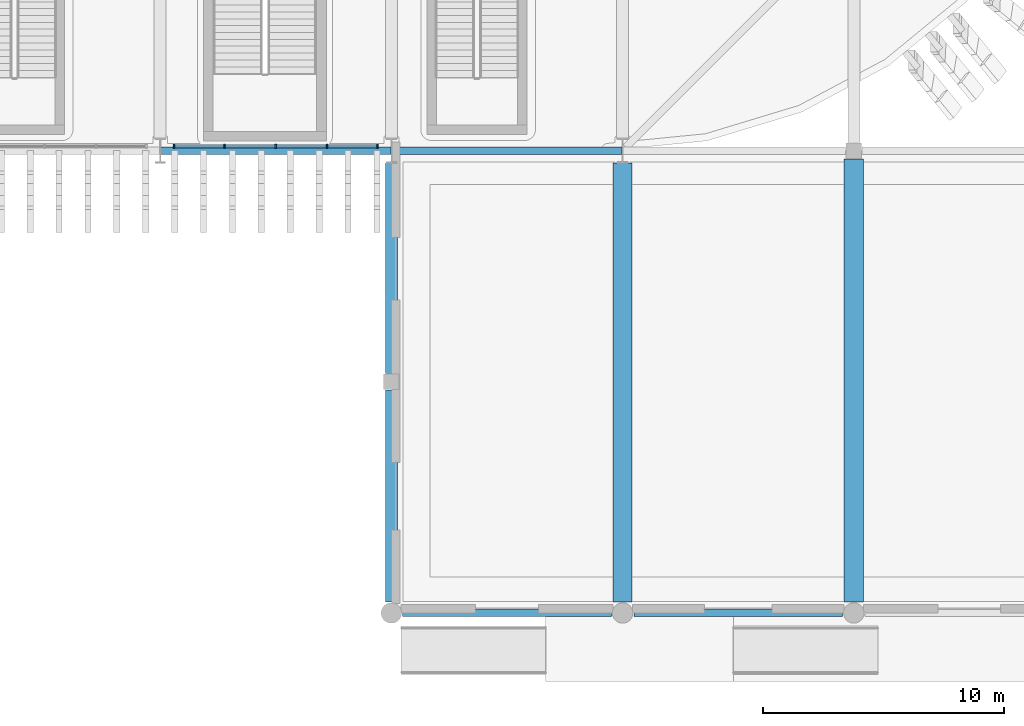
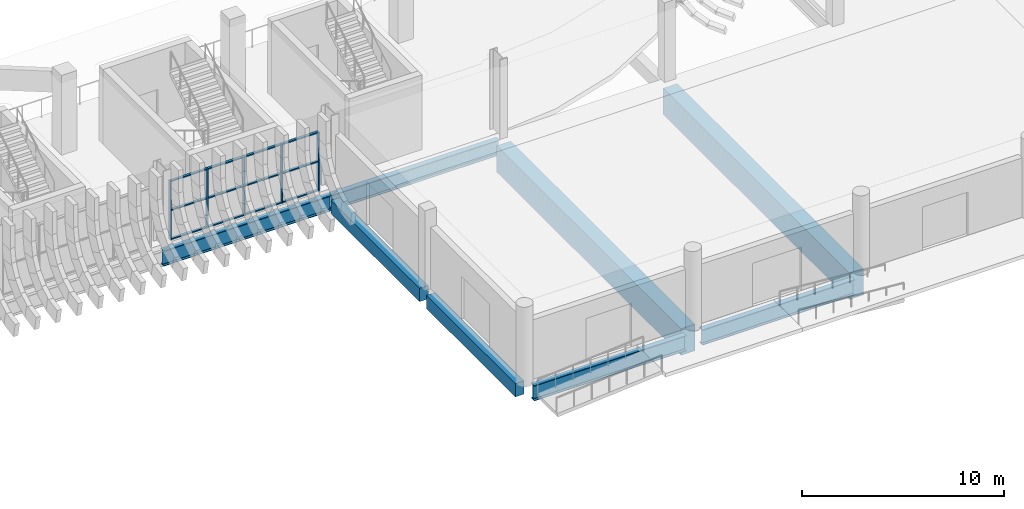
# One storey, part 31 of 100: 17 members, 8 beams, 1 element without a shape of its own.
"""IFC4 building model written with IfcOpenShell, lengths in metres."""

import ifcopenshell
import ifcopenshell.guid

model = None  # the IFC model being written
_history = None  # IfcOwnerHistory: only IFC2X3 demands one
_inside = {}  # id of a spatial element -> (the spatial element, [elements in it])
_under = {}  # id of a project, library or spatial element -> (it, [spatial elements below it])
_declared = {}  # id of a project -> (the project, [libraries it declares])
_typed = {}  # id of a type object -> (the type object, [elements of that type])
_made_of = {}  # id of a material, layer set ... -> (it, [elements and type objects made of it])


def new_model(schema):
    """Start an empty IFC model of exactly this schema.

    Asked for "IFC4X3", IfcOpenShell would pick the latest addendum, in which some entities
    have other attributes; the version numbers below select the first issue.
    IFC2X3 requires an IfcOwnerHistory on every rooted entity: one is made here for all.
    """
    global model, _history
    if schema == "IFC4X3":
        model = ifcopenshell.file(schema_version=(4, 3, 0, 0))
    else:
        model = ifcopenshell.file(schema=schema)
    _inside.clear()
    _under.clear()
    _declared.clear()
    _typed.clear()
    _made_of.clear()
    _history = None
    if model.schema == "IFC2X3":
        org = make("IfcOrganization", Name="unknown")
        user = make(
            "IfcPersonAndOrganization",
            ThePerson=make("IfcPerson", FamilyName="unknown"),
            TheOrganization=org,
        )
        app = make(
            "IfcApplication",
            ApplicationDeveloper=org,
            Version="unknown",
            ApplicationFullName="unknown",
            ApplicationIdentifier="unknown",
        )
        _history = make(
            "IfcOwnerHistory",
            OwningUser=user,
            OwningApplication=app,
            ChangeAction="ADDED",
            CreationDate=0,
        )
    return model


def make(cls, **values):
    """One entity of the class cls with the attributes given. An attribute that is None is left unset."""
    return model.create_entity(
        cls, **{name: value for name, value in values.items() if value is not None}
    )


def rooted(cls, **values):
    """An entity with a GlobalId (a new one), such as an element, a storey or a relation."""
    return make(cls, GlobalId=ifcopenshell.guid.new(), OwnerHistory=_history, **values)


def si_unit(unit_type, name, prefix=None):
    """IfcSIUnit, for example si_unit("LENGTHUNIT", "METRE", prefix="MILLI")."""
    return make("IfcSIUnit", UnitType=unit_type, Prefix=prefix, Name=name)


def assignment(units):
    """IfcUnitAssignment: the units of a project."""
    return None if units is None else make("IfcUnitAssignment", Units=units)


def point(xyz):
    """IfcCartesianPoint."""
    return None if xyz is None else make("IfcCartesianPoint", Coordinates=xyz)


def direction(xyz):
    """IfcDirection."""
    return None if xyz is None else make("IfcDirection", DirectionRatios=xyz)


def frame(location, z_axis=None, x_axis=None):
    """IfcAxis2Placement3D, a coordinate frame: its origin and axes. An axis left out is left unset."""
    return make(
        "IfcAxis2Placement3D",
        Location=point(location),
        Axis=direction(z_axis),
        RefDirection=direction(x_axis),
    )


def frame_2d(location, x_axis=None):
    """IfcAxis2Placement2D, a coordinate frame in the plane: its origin and x axis."""
    return make(
        "IfcAxis2Placement2D", Location=point(location), RefDirection=direction(x_axis)
    )


def origin():
    """The frame at (0, 0, 0) with its axes left unset."""
    return frame((0.0, 0.0, 0.0))


def origin_2d():
    """The frame at (0, 0) in the plane with its x axis left unset."""
    return frame_2d((0.0, 0.0))


def place(relative_to, where):
    """IfcLocalPlacement: puts the frame where relative to a parent placement (None: the world)."""
    return make(
        "IfcLocalPlacement", PlacementRelTo=relative_to, RelativePlacement=where
    )


def context(
    kind, dimensions, precision=None, world=None, true_north=None, identifier=None
):
    """IfcGeometricRepresentationContext, for example the 3D "Model" context."""
    return make(
        "IfcGeometricRepresentationContext",
        ContextIdentifier=identifier,
        ContextType=kind,
        CoordinateSpaceDimension=dimensions,
        Precision=precision,
        WorldCoordinateSystem=world,
        TrueNorth=true_north,
    )


def subcontext(parent, identifier, kind, view, scale=None):
    """IfcGeometricRepresentationSubContext, for example "Body" below "Model"."""
    return make(
        "IfcGeometricRepresentationSubContext",
        ContextIdentifier=identifier,
        ContextType=kind,
        ParentContext=parent,
        TargetScale=scale,
        TargetView=view,
    )


def project(units=None, contexts=None):
    """IfcProject with its units and contexts."""
    return rooted(
        "IfcProject",
        Name="project",
        RepresentationContexts=contexts,
        UnitsInContext=assignment(units),
    )


def spatial(cls, under=None, at=None, **own):
    """A site, building, storey or space (cls), placed at a placement, below another one or the project."""
    s = rooted(cls, ObjectPlacement=at, **own)
    if under is not None:
        _under.setdefault(under.id(), (under, []))[1].append(s)
    return s


def profile(cls, at=None, kind="AREA", **sizes):
    """A parametric profile (cls). Its sizes go by their IFC names, for example OverallWidth=200.0."""
    return make(cls, ProfileType=kind, Position=at, **sizes)


def rectangle(**sizes):
    """IfcRectangleProfileDef."""
    return profile("IfcRectangleProfileDef", **sizes)


def i_section(**sizes):
    """IfcIShapeProfileDef."""
    return profile("IfcIShapeProfileDef", **sizes)


def extrude(swept, where, along, depth):
    """IfcExtrudedAreaSolid: the profile swept, set in the frame where, extruded along a direction by depth."""
    return make(
        "IfcExtrudedAreaSolid",
        SweptArea=swept,
        Position=where,
        ExtrudedDirection=direction(along),
        Depth=depth,
    )


def shape(context_of_items, identifier, shape_type, items):
    """IfcShapeRepresentation: the items that make up one representation, for example the "Body"."""
    return make(
        "IfcShapeRepresentation",
        ContextOfItems=context_of_items,
        RepresentationIdentifier=identifier,
        RepresentationType=shape_type,
        Items=items,
    )


def material(Name=None, Category=None):
    """IfcMaterial."""
    return make("IfcMaterial", Name=Name, Category=Category)


def layer(
    of_material, thickness, ventilated=None, Name=None, Category=None, Priority=None
):
    """IfcMaterialLayer: one layer of a wall or slab, of a material (None: an air gap)."""
    return make(
        "IfcMaterialLayer",
        Material=of_material,
        LayerThickness=thickness,
        IsVentilated=ventilated,
        Name=Name,
        Category=Category,
        Priority=Priority,
    )


def layer_set(layers, Name=None):
    """IfcMaterialLayerSet."""
    return make("IfcMaterialLayerSet", MaterialLayers=layers, LayerSetName=Name)


def material_profile(
    of_material, cross_section, Name=None, Category=None, Priority=None
):
    """IfcMaterialProfile: a cross section and its material."""
    return make(
        "IfcMaterialProfile",
        Name=Name,
        Material=of_material,
        Profile=cross_section,
        Priority=Priority,
        Category=Category,
    )


def profile_set(profiles, Name=None, composite=None):
    """IfcMaterialProfileSet."""
    return make(
        "IfcMaterialProfileSet",
        Name=Name,
        MaterialProfiles=profiles,
        CompositeProfile=composite,
    )


def made_of(thing, what):
    """Note that an element or type object is made of a material, layer set ...; save() writes the relation."""
    if what is not None:
        _made_of.setdefault(what.id(), (what, []))[1].append(thing)
    return thing


def type_object(cls, material=None, **own):
    """A type object (cls), such as IfcWallType, which elements share."""
    return made_of(rooted(cls, **own), material)


def element(
    cls,
    number,
    at=None,
    inside=None,
    cuts=None,
    type_object=None,
    material=None,
    context=None,
    identifier="Body",
    shape_type=None,
    held_by="IfcProductDefinitionShape",
    body=None,
    shapes=None,
    **own,
):
    """One element of the class cls, such as IfcWall. Its Tag is "e" and its number.

    at: its placement. inside: the storey or other place that contains it. cuts: it is an
    opening in that element (IfcRelVoidsElement). A single representation is given by context,
    identifier, shape_type and body (its items); several are given by shapes. held_by: the class
    of the entity that holds the representations. save() writes the other relations.
    """
    e = rooted(cls, Tag="e%d" % number, ObjectPlacement=at, **own)
    if body is not None:
        shapes = [shape(context, identifier, shape_type, body)]
    if shapes is not None:
        e.Representation = make(held_by, Representations=shapes)
    if inside is not None:
        _inside.setdefault(inside.id(), (inside, []))[1].append(e)
    if cuts is not None:
        rooted(
            "IfcRelVoidsElement", RelatingBuildingElement=cuts, RelatedOpeningElement=e
        )
    if type_object is not None:
        _typed.setdefault(type_object.id(), (type_object, []))[1].append(e)
    return made_of(e, material)


def aggregate(whole, parts):
    """IfcRelAggregates: a whole, such as a stair, and the parts it consists of."""
    return rooted("IfcRelAggregates", RelatingObject=whole, RelatedObjects=parts)


def save(model, path):
    """Write the relations noted so far, then the file.

    IfcRelAggregates (storeys below a building ...), IfcRelContainedInSpatialStructure (elements
    in a storey), IfcRelDefinesByType, IfcRelAssociatesMaterial and IfcRelDeclares: one each for
    every whole, place, type object, material and project.
    """
    for whole, parts in _under.values():
        aggregate(whole, parts)
    for where, things in _inside.values():
        rooted(
            "IfcRelContainedInSpatialStructure",
            RelatedElements=things,
            RelatingStructure=where,
        )
    for kind, things in _typed.values():
        rooted("IfcRelDefinesByType", RelatedObjects=things, RelatingType=kind)
    for what, things in _made_of.values():
        rooted("IfcRelAssociatesMaterial", RelatedObjects=things, RelatingMaterial=what)
    for by, libraries in _declared.values():
        rooted("IfcRelDeclares", RelatingContext=by, RelatedDefinitions=libraries)
    model.write(path)


model = new_model("IFC4")

# Units and contexts
model_context = context("Model", 3, precision=1e-05, world=origin(), true_north=direction((0.0, 1.0)))
body_context = subcontext(model_context, "Body", "Model", "MODEL_VIEW")
ifc_project = project(units=[si_unit("LENGTHUNIT", "METRE"), si_unit("AREAUNIT", "SQUARE_METRE"), si_unit("VOLUMEUNIT", "CUBIC_METRE"), si_unit("PLANEANGLEUNIT", "RADIAN"), si_unit("MASSUNIT", "GRAM", prefix="KILO")], contexts=[model_context])

# Site, building, storey
site_placement = place(None, origin())
site = spatial("IfcSite", under=ifc_project, at=site_placement, CompositionType="ELEMENT")
building_placement = place(site_placement, origin())
building = spatial("IfcBuilding", under=site, at=building_placement, Name="Caelomonte Colonnade Arena", CompositionType="ELEMENT")
storey_placement = place(building_placement, origin())
storey = spatial("IfcBuildingStorey", under=building, at=storey_placement, Name="L00", CompositionType="ELEMENT", Elevation=0.0)

# Curtain wall, members
ifc_material_1 = material(Name="Bronze anodised aluminium and low-E glazing", Category="aluminium")
ifc_layer = layer(ifc_material_1, 0.179931640625)
ifc_layer_set = layer_set([ifc_layer], Name="Bronze anodised aluminium and low-E glazing")
curtain_wall_type = type_object("IfcCurtainWallType", Name="ENV-CW-CW-L00-96-36", PredefinedType="USERDEFINED", material=ifc_layer_set)
curtain_wall_placement = place(storey_placement, origin())
curtain_wall = element("IfcCurtainWall", 1, at=curtain_wall_placement, inside=storey, type_object=curtain_wall_type, Name="L00 unitized curtain wall CW-L00-1296-0194", ObjectType="UNITIZED CURTAIN WALL", PredefinedType="USERDEFINED")
ifc_material_2 = material(Name="Bronze anodised aluminium AA6063-T6", Category="aluminium")
ifc_material_profile_1 = material_profile(ifc_material_2, rectangle(XDim=0.070068359375, YDim=0.179931640625, at=origin_2d()), Name="CWM-70X180")
ifc_profile_set_1 = profile_set([ifc_material_profile_1], Name="Bronze anodised aluminium AA6063-T6")
member_type_1 = type_object("IfcMemberType", Name="ENV-CW-MULL1", PredefinedType="MULLION", material=ifc_profile_set_1)
member_1_placement = place(storey_placement, frame((125.375732421875, 19.3798828125, 0.0), z_axis=(0.0, 0.0, 1.0), x_axis=(1.0, 0.0, 0.0)))
member_1 = element("IfcMember", 2, at=member_1_placement, type_object=member_type_1, Name="CW-L00-96-36 mullion 1", PredefinedType="MULLION", context=body_context, shape_type="SweptSolid", body=[
    extrude(rectangle(XDim=0.070068359375, YDim=0.179931640625, at=origin_2d()), origin(), (0.0, 0.0, 1.0), 3.572998046875),
])
member_2_placement = place(storey_placement, frame((127.470458984375, 19.3798828125, 0.0), z_axis=(0.0, 0.0, 1.0), x_axis=(1.0, 0.0, 0.0)))
member_2 = element("IfcMember", 3, at=member_2_placement, type_object=member_type_1, Name="CW-L00-96-36 mullion 2", PredefinedType="MULLION", context=body_context, shape_type="SweptSolid", body=[
    extrude(rectangle(XDim=0.070068359375, YDim=0.179931640625, at=origin_2d()), origin(), (0.0, 0.0, 1.0), 3.572998046875),
])
member_3_placement = place(storey_placement, frame((129.60009765625, 19.3798828125, 0.0), z_axis=(0.0, 0.0, 1.0), x_axis=(1.0, 0.0, 0.0)))
member_3 = element("IfcMember", 4, at=member_3_placement, type_object=member_type_1, Name="CW-L00-96-36 mullion 3", PredefinedType="MULLION", context=body_context, shape_type="SweptSolid", body=[
    extrude(rectangle(XDim=0.070068359375, YDim=0.179931640625, at=origin_2d()), origin(), (0.0, 0.0, 1.0), 3.572998046875),
])
member_4_placement = place(storey_placement, frame((131.729736328125, 19.3798828125, 0.0), z_axis=(0.0, 0.0, 1.0), x_axis=(1.0, 0.0, 0.0)))
member_4 = element("IfcMember", 5, at=member_4_placement, type_object=member_type_1, Name="CW-L00-96-36 mullion 4", PredefinedType="MULLION", context=body_context, shape_type="SweptSolid", body=[
    extrude(rectangle(XDim=0.070068359375, YDim=0.179931640625, at=origin_2d()), origin(), (0.0, 0.0, 1.0), 3.572998046875),
])
member_5_placement = place(storey_placement, frame((133.82421875, 19.3798828125, 0.0), z_axis=(0.0, 0.0, 1.0), x_axis=(1.0, 0.0, 0.0)))
member_5 = element("IfcMember", 6, at=member_5_placement, type_object=member_type_1, Name="CW-L00-96-36 mullion 5", PredefinedType="MULLION", context=body_context, shape_type="SweptSolid", body=[
    extrude(rectangle(XDim=0.070068359375, YDim=0.179931640625, at=origin_2d()), origin(), (0.0, 0.0, 1.0), 3.572998046875),
])
ifc_material_profile_2 = material_profile(ifc_material_2, rectangle(XDim=0.070068359375, YDim=0.139892578125, at=origin_2d()), Name="CWT-70X140")
ifc_profile_set_2 = profile_set([ifc_material_profile_2], Name="Bronze anodised aluminium AA6063-T6")
member_type_2 = type_object("IfcMemberType", Name="ENV-CW-TRAN1", PredefinedType="USERDEFINED", material=ifc_profile_set_2)
member_6_placement = place(storey_placement, frame((125.41064453125, 19.3798828125, 0.034912109375), z_axis=(1.0, 0.0, 0.0), x_axis=(0.0, 0.0, 1.0)))
member_6 = element("IfcMember", 7, at=member_6_placement, type_object=member_type_2, Name="CW-L00-96-36 transom 1.1", ObjectType="TRANSOM", PredefinedType="USERDEFINED", context=body_context, shape_type="SweptSolid", body=[
    extrude(rectangle(XDim=0.070068359375, YDim=0.139892578125, at=origin_2d()), origin(), (0.0, 0.0, 1.0), 2.024658203125),
])
member_7_placement = place(storey_placement, frame((125.41064453125, 19.3798828125, 1.78662109375), z_axis=(1.0, 0.0, 0.0), x_axis=(0.0, 0.0, 1.0)))
member_7 = element("IfcMember", 8, at=member_7_placement, type_object=member_type_2, Name="CW-L00-96-36 transom 1.2", ObjectType="TRANSOM", PredefinedType="USERDEFINED", context=body_context, shape_type="SweptSolid", body=[
    extrude(rectangle(XDim=0.070068359375, YDim=0.139892578125, at=origin_2d()), origin(), (0.0, 0.0, 1.0), 2.024658203125),
])
member_8_placement = place(storey_placement, frame((125.41064453125, 19.3798828125, 3.5380859375), z_axis=(1.0, 0.0, 0.0), x_axis=(0.0, 0.0, 1.0)))
member_8 = element("IfcMember", 9, at=member_8_placement, type_object=member_type_2, Name="CW-L00-96-36 transom 1.3", ObjectType="TRANSOM", PredefinedType="USERDEFINED", context=body_context, shape_type="SweptSolid", body=[
    extrude(rectangle(XDim=0.070068359375, YDim=0.139892578125, at=origin_2d()), origin(), (0.0, 0.0, 1.0), 2.024658203125),
])
member_9_placement = place(storey_placement, frame((127.50537109375, 19.3798828125, 0.034912109375), z_axis=(1.0, 0.0, 0.0), x_axis=(0.0, 0.0, 1.0)))
member_9 = element("IfcMember", 10, at=member_9_placement, type_object=member_type_2, Name="CW-L00-96-36 transom 2.1", ObjectType="TRANSOM", PredefinedType="USERDEFINED", context=body_context, shape_type="SweptSolid", body=[
    extrude(rectangle(XDim=0.070068359375, YDim=0.139892578125, at=origin_2d()), origin(), (0.0, 0.0, 1.0), 2.0595703125),
])
member_10_placement = place(storey_placement, frame((127.50537109375, 19.3798828125, 1.78662109375), z_axis=(1.0, 0.0, 0.0), x_axis=(0.0, 0.0, 1.0)))
member_10 = element("IfcMember", 11, at=member_10_placement, type_object=member_type_2, Name="CW-L00-96-36 transom 2.2", ObjectType="TRANSOM", PredefinedType="USERDEFINED", context=body_context, shape_type="SweptSolid", body=[
    extrude(rectangle(XDim=0.070068359375, YDim=0.139892578125, at=origin_2d()), origin(), (0.0, 0.0, 1.0), 2.0595703125),
])
member_11_placement = place(storey_placement, frame((127.50537109375, 19.3798828125, 3.5380859375), z_axis=(1.0, 0.0, 0.0), x_axis=(0.0, 0.0, 1.0)))
member_11 = element("IfcMember", 12, at=member_11_placement, type_object=member_type_2, Name="CW-L00-96-36 transom 2.3", ObjectType="TRANSOM", PredefinedType="USERDEFINED", context=body_context, shape_type="SweptSolid", body=[
    extrude(rectangle(XDim=0.070068359375, YDim=0.139892578125, at=origin_2d()), origin(), (0.0, 0.0, 1.0), 2.0595703125),
])
member_12_placement = place(storey_placement, frame((129.635009765625, 19.3798828125, 0.034912109375), z_axis=(1.0, 0.0, 0.0), x_axis=(0.0, 0.0, 1.0)))
member_12 = element("IfcMember", 13, at=member_12_placement, type_object=member_type_2, Name="CW-L00-96-36 transom 3.1", ObjectType="TRANSOM", PredefinedType="USERDEFINED", context=body_context, shape_type="SweptSolid", body=[
    extrude(rectangle(XDim=0.070068359375, YDim=0.139892578125, at=origin_2d()), origin(), (0.0, 0.0, 1.0), 2.0595703125),
])
member_13_placement = place(storey_placement, frame((129.635009765625, 19.3798828125, 1.78662109375), z_axis=(1.0, 0.0, 0.0), x_axis=(0.0, 0.0, 1.0)))
member_13 = element("IfcMember", 14, at=member_13_placement, type_object=member_type_2, Name="CW-L00-96-36 transom 3.2", ObjectType="TRANSOM", PredefinedType="USERDEFINED", context=body_context, shape_type="SweptSolid", body=[
    extrude(rectangle(XDim=0.070068359375, YDim=0.139892578125, at=origin_2d()), origin(), (0.0, 0.0, 1.0), 2.0595703125),
])
member_14_placement = place(storey_placement, frame((129.635009765625, 19.3798828125, 3.5380859375), z_axis=(1.0, 0.0, 0.0), x_axis=(0.0, 0.0, 1.0)))
member_14 = element("IfcMember", 15, at=member_14_placement, type_object=member_type_2, Name="CW-L00-96-36 transom 3.3", ObjectType="TRANSOM", PredefinedType="USERDEFINED", context=body_context, shape_type="SweptSolid", body=[
    extrude(rectangle(XDim=0.070068359375, YDim=0.139892578125, at=origin_2d()), origin(), (0.0, 0.0, 1.0), 2.0595703125),
])
member_15_placement = place(storey_placement, frame((131.7646484375, 19.3798828125, 0.034912109375), z_axis=(1.0, 0.0, 0.0), x_axis=(0.0, 0.0, 1.0)))
member_15 = element("IfcMember", 16, at=member_15_placement, type_object=member_type_2, Name="CW-L00-96-36 transom 4.1", ObjectType="TRANSOM", PredefinedType="USERDEFINED", context=body_context, shape_type="SweptSolid", body=[
    extrude(rectangle(XDim=0.070068359375, YDim=0.139892578125, at=origin_2d()), origin(), (0.0, 0.0, 1.0), 2.024658203125),
])
member_16_placement = place(storey_placement, frame((131.7646484375, 19.3798828125, 1.78662109375), z_axis=(1.0, 0.0, 0.0), x_axis=(0.0, 0.0, 1.0)))
member_16 = element("IfcMember", 17, at=member_16_placement, type_object=member_type_2, Name="CW-L00-96-36 transom 4.2", ObjectType="TRANSOM", PredefinedType="USERDEFINED", context=body_context, shape_type="SweptSolid", body=[
    extrude(rectangle(XDim=0.070068359375, YDim=0.139892578125, at=origin_2d()), origin(), (0.0, 0.0, 1.0), 2.024658203125),
])
member_17_placement = place(storey_placement, frame((131.7646484375, 19.3798828125, 3.5380859375), z_axis=(1.0, 0.0, 0.0), x_axis=(0.0, 0.0, 1.0)))
member_17 = element("IfcMember", 18, at=member_17_placement, type_object=member_type_2, Name="CW-L00-96-36 transom 4.3", ObjectType="TRANSOM", PredefinedType="USERDEFINED", context=body_context, shape_type="SweptSolid", body=[
    extrude(rectangle(XDim=0.070068359375, YDim=0.139892578125, at=origin_2d()), origin(), (0.0, 0.0, 1.0), 2.024658203125),
])
aggregate(curtain_wall, [member_1, member_2, member_3, member_4, member_5, member_6, member_7, member_8, member_9, member_10, member_11, member_12, member_13, member_14, member_15, member_16, member_17])

# Beams
ifc_material_3 = material(Name="Wide-flange steel ASTM A992 Grade 50", Category="steel")
ifc_material_profile_3 = material_profile(ifc_material_3, i_section(OverallWidth=0.307861328125, OverallDepth=0.927001953125, WebThickness=0.019287109375, FlangeThickness=0.031982421875, FilletRadius=0.020263671875, at=origin_2d()), Name="W36X194")
ifc_profile_set_3 = profile_set([ifc_material_profile_3], Name="Wide-flange steel ASTM A992 Grade 50")
beam_type_1 = type_object("IfcBeamType", Name="STR-BM-EAVES2", PredefinedType="SPANDREL", material=ifc_profile_set_3)
for number, where, z_axis, x_axis, name in (
    (19, (134.866943359375, 0.0, -0.763427734375), (1.0, 0.0, 0.0), (0.0, 1.0, 0.0), "L00 girder BMX-L00-1344-0000"),
    (20, (144.467041015625, 0.0, -0.763427734375), (1.0, 0.0, 0.0), (0.0, 1.0, 0.0), "L00 girder BMX-L00-1440-0000"),
):
    element("IfcBeam", number, at=place(storey_placement, frame(where, z_axis=z_axis, x_axis=x_axis)), inside=storey, type_object=beam_type_1, Name=name, PredefinedType="SPANDREL", context=body_context, shape_type="SweptSolid", body=[
        extrude(i_section(OverallWidth=0.307861328125, OverallDepth=0.927001953125, WebThickness=0.019287109375, FlangeThickness=0.031982421875, FilletRadius=0.020263671875, at=origin_2d()), origin(), (0.0, 0.0, 1.0), 8.666015625),
    ])
for number, where, z_axis, x_axis, name in (
    (21, (124.8154296875, 19.199951171875, -0.763427734375), (1.0, 0.0, 0.0), (0.0, 1.0, 0.0), "L00 girder BMX-L00-1248-0192"),
    (22, (134.41552734375, 19.199951171875, -0.763427734375), (1.0, 0.0, 0.0), (0.0, 1.0, 0.0), "L00 girder BMX-L00-1344-0192"),
):
    element("IfcBeam", number, at=place(storey_placement, frame(where, z_axis=z_axis, x_axis=x_axis)), inside=storey, type_object=beam_type_1, Name=name, PredefinedType="SPANDREL", context=body_context, shape_type="SweptSolid", body=[
        extrude(i_section(OverallWidth=0.307861328125, OverallDepth=0.927001953125, WebThickness=0.019287109375, FlangeThickness=0.031982421875, FilletRadius=0.020263671875, at=origin_2d()), origin(), (0.0, 0.0, 1.0), 9.569091796875),
    ])
ifc_material_4 = material(Name="Concrete C40/50", Category="concrete")
ifc_material_profile_4 = material_profile(ifc_material_4, rectangle(XDim=0.5, YDim=0.800048828125, at=origin_2d()), Name="RC500X800")
ifc_profile_set_4 = profile_set([ifc_material_profile_4], Name="Concrete C40/50")
beam_type_2 = type_object("IfcBeamType", Name="STR-BM-RC50", PredefinedType="BEAM", material=ifc_profile_set_4)
beam_1_placement = place(storey_placement, frame((134.39990234375, 0.467041015625, -0.699951171875), z_axis=(0.0, 1.0, 0.0), x_axis=(-1.0, 0.0, 0.0)))
element("IfcBeam", 23, at=beam_1_placement, inside=storey, type_object=beam_type_2, Name="L00 girder BMY-L00-1344-0000", PredefinedType="BEAM", context=body_context, shape_type="SweptSolid", body=[
    extrude(rectangle(XDim=0.5, YDim=0.800048828125, at=origin_2d()), origin(), (0.0, 0.0, 1.0), 8.791015625),
])
beam_2_placement = place(storey_placement, frame((134.39990234375, 9.94189453125, -0.699951171875), z_axis=(0.0, 1.0, 0.0), x_axis=(-1.0, 0.0, 0.0)))
element("IfcBeam", 24, at=beam_2_placement, inside=storey, type_object=beam_type_2, Name="L00 girder BMY-L00-1344-0096", PredefinedType="BEAM", context=body_context, shape_type="SweptSolid", body=[
    extrude(rectangle(XDim=0.5, YDim=0.800048828125, at=origin_2d()), origin(), (0.0, 0.0, 1.0), 8.745361328125),
])
ifc_material_5 = material(Name="Concrete C50/60", Category="concrete")
ifc_material_profile_5 = material_profile(ifc_material_5, rectangle(XDim=0.800048828125, YDim=1.60009765625, at=origin_2d()), Name="RC800X1600")
ifc_profile_set_5 = profile_set([ifc_material_profile_5], Name="Concrete C50/60")
beam_type_3 = type_object("IfcBeamType", Name="STR-BM-TG16", PredefinedType="USERDEFINED", material=ifc_profile_set_5)
beam_3_placement = place(storey_placement, frame((144.0, 0.467041015625, -1.10009765625), z_axis=(0.0, 1.0, 0.0), x_axis=(-1.0, 0.0, 0.0)))
element("IfcBeam", 25, at=beam_3_placement, inside=storey, type_object=beam_type_3, Name="L00 Transfer Girder BMY-L00-1440-0000", ObjectType="TRANSFER GIRDER", PredefinedType="USERDEFINED", context=body_context, shape_type="SweptSolid", body=[
    extrude(rectangle(XDim=0.800048828125, YDim=1.60009765625, at=origin_2d()), origin(), (0.0, 0.0, 1.0), 18.22021484375),
])
beam_4_placement = place(storey_placement, frame((153.60009765625, 0.467041015625, -1.10009765625), z_axis=(0.0, 1.0, 0.0), x_axis=(-1.0, 0.0, 0.0)))
element("IfcBeam", 26, at=beam_4_placement, inside=storey, type_object=beam_type_3, Name="L00 Transfer Girder BMY-L00-1536-0000", ObjectType="TRANSFER GIRDER", PredefinedType="USERDEFINED", context=body_context, shape_type="SweptSolid", body=[
    extrude(rectangle(XDim=0.800048828125, YDim=1.60009765625, at=origin_2d()), origin(), (0.0, 0.0, 1.0), 18.390869140625),
])

save(model, "model.ifc")
